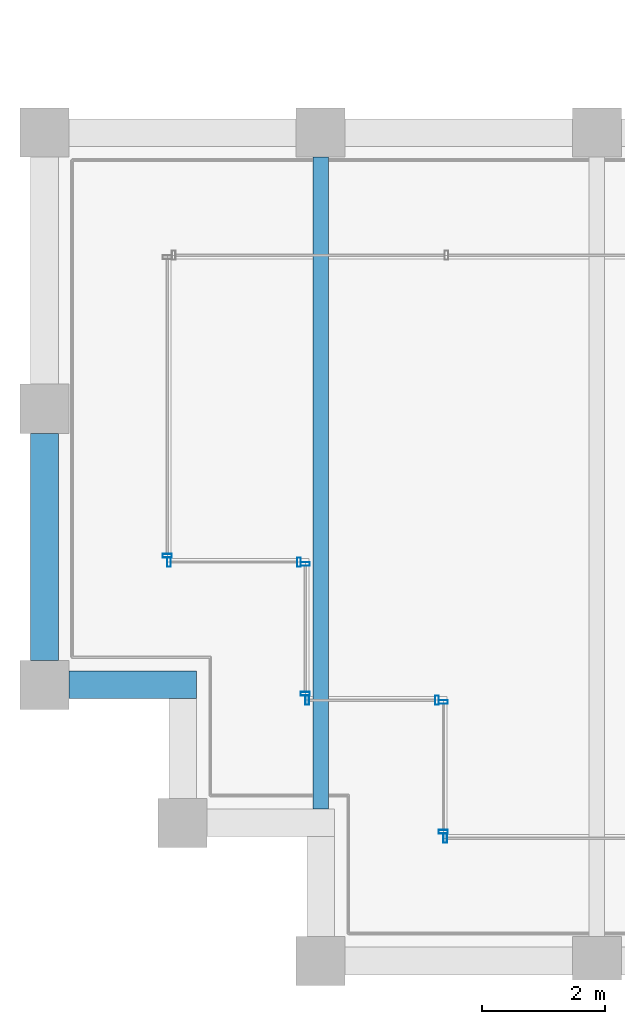
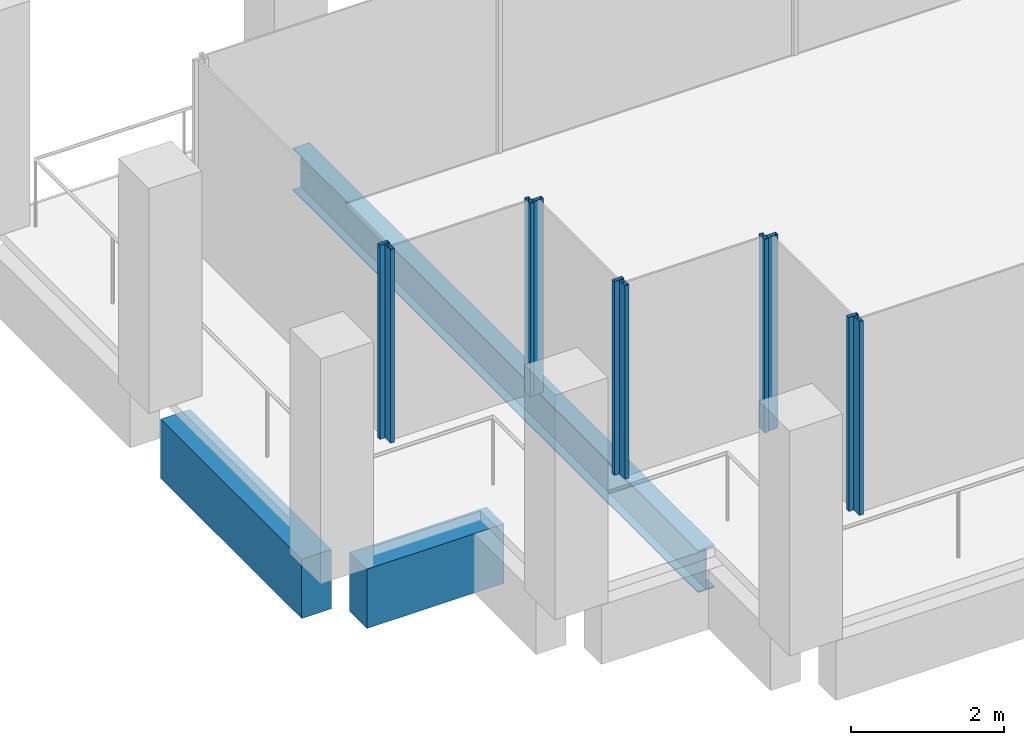
# One storey, part 2 of 30: 10 members, 3 beams, 6 elements without a shape of their own.
"""IFC4 building model written with IfcOpenShell, lengths in metres."""

import ifcopenshell
import ifcopenshell.guid

model = None  # the IFC model being written
_history = None  # IfcOwnerHistory: only IFC2X3 demands one
_inside = {}  # id of a spatial element -> (the spatial element, [elements in it])
_under = {}  # id of a project, library or spatial element -> (it, [spatial elements below it])
_declared = {}  # id of a project -> (the project, [libraries it declares])
_typed = {}  # id of a type object -> (the type object, [elements of that type])
_made_of = {}  # id of a material, layer set ... -> (it, [elements and type objects made of it])


def new_model(schema):
    """Start an empty IFC model of exactly this schema.

    Asked for "IFC4X3", IfcOpenShell would pick the latest addendum, in which some entities
    have other attributes; the version numbers below select the first issue.
    IFC2X3 requires an IfcOwnerHistory on every rooted entity: one is made here for all.
    """
    global model, _history
    if schema == "IFC4X3":
        model = ifcopenshell.file(schema_version=(4, 3, 0, 0))
    else:
        model = ifcopenshell.file(schema=schema)
    _inside.clear()
    _under.clear()
    _declared.clear()
    _typed.clear()
    _made_of.clear()
    _history = None
    if model.schema == "IFC2X3":
        org = make("IfcOrganization", Name="unknown")
        user = make(
            "IfcPersonAndOrganization",
            ThePerson=make("IfcPerson", FamilyName="unknown"),
            TheOrganization=org,
        )
        app = make(
            "IfcApplication",
            ApplicationDeveloper=org,
            Version="unknown",
            ApplicationFullName="unknown",
            ApplicationIdentifier="unknown",
        )
        _history = make(
            "IfcOwnerHistory",
            OwningUser=user,
            OwningApplication=app,
            ChangeAction="ADDED",
            CreationDate=0,
        )
    return model


def make(cls, **values):
    """One entity of the class cls with the attributes given. An attribute that is None is left unset."""
    return model.create_entity(
        cls, **{name: value for name, value in values.items() if value is not None}
    )


def rooted(cls, **values):
    """An entity with a GlobalId (a new one), such as an element, a storey or a relation."""
    return make(cls, GlobalId=ifcopenshell.guid.new(), OwnerHistory=_history, **values)


def si_unit(unit_type, name, prefix=None):
    """IfcSIUnit, for example si_unit("LENGTHUNIT", "METRE", prefix="MILLI")."""
    return make("IfcSIUnit", UnitType=unit_type, Prefix=prefix, Name=name)


def assignment(units):
    """IfcUnitAssignment: the units of a project."""
    return None if units is None else make("IfcUnitAssignment", Units=units)


def point(xyz):
    """IfcCartesianPoint."""
    return None if xyz is None else make("IfcCartesianPoint", Coordinates=xyz)


def direction(xyz):
    """IfcDirection."""
    return None if xyz is None else make("IfcDirection", DirectionRatios=xyz)


def frame(location, z_axis=None, x_axis=None):
    """IfcAxis2Placement3D, a coordinate frame: its origin and axes. An axis left out is left unset."""
    return make(
        "IfcAxis2Placement3D",
        Location=point(location),
        Axis=direction(z_axis),
        RefDirection=direction(x_axis),
    )


def frame_2d(location, x_axis=None):
    """IfcAxis2Placement2D, a coordinate frame in the plane: its origin and x axis."""
    return make(
        "IfcAxis2Placement2D", Location=point(location), RefDirection=direction(x_axis)
    )


def origin():
    """The frame at (0, 0, 0) with its axes left unset."""
    return frame((0.0, 0.0, 0.0))


def origin_2d():
    """The frame at (0, 0) in the plane with its x axis left unset."""
    return frame_2d((0.0, 0.0))


def place(relative_to, where):
    """IfcLocalPlacement: puts the frame where relative to a parent placement (None: the world)."""
    return make(
        "IfcLocalPlacement", PlacementRelTo=relative_to, RelativePlacement=where
    )


def context(
    kind, dimensions, precision=None, world=None, true_north=None, identifier=None
):
    """IfcGeometricRepresentationContext, for example the 3D "Model" context."""
    return make(
        "IfcGeometricRepresentationContext",
        ContextIdentifier=identifier,
        ContextType=kind,
        CoordinateSpaceDimension=dimensions,
        Precision=precision,
        WorldCoordinateSystem=world,
        TrueNorth=true_north,
    )


def subcontext(parent, identifier, kind, view, scale=None):
    """IfcGeometricRepresentationSubContext, for example "Body" below "Model"."""
    return make(
        "IfcGeometricRepresentationSubContext",
        ContextIdentifier=identifier,
        ContextType=kind,
        ParentContext=parent,
        TargetScale=scale,
        TargetView=view,
    )


def project(units=None, contexts=None):
    """IfcProject with its units and contexts."""
    return rooted(
        "IfcProject",
        Name="project",
        RepresentationContexts=contexts,
        UnitsInContext=assignment(units),
    )


def spatial(cls, under=None, at=None, **own):
    """A site, building, storey or space (cls), placed at a placement, below another one or the project."""
    s = rooted(cls, ObjectPlacement=at, **own)
    if under is not None:
        _under.setdefault(under.id(), (under, []))[1].append(s)
    return s


def profile(cls, at=None, kind="AREA", **sizes):
    """A parametric profile (cls). Its sizes go by their IFC names, for example OverallWidth=200.0."""
    return make(cls, ProfileType=kind, Position=at, **sizes)


def rectangle(**sizes):
    """IfcRectangleProfileDef."""
    return profile("IfcRectangleProfileDef", **sizes)


def hollow_rectangle(**sizes):
    """IfcRectangleHollowProfileDef."""
    return profile("IfcRectangleHollowProfileDef", **sizes)


def i_section(**sizes):
    """IfcIShapeProfileDef."""
    return profile("IfcIShapeProfileDef", **sizes)


def extrude(swept, where, along, depth):
    """IfcExtrudedAreaSolid: the profile swept, set in the frame where, extruded along a direction by depth."""
    return make(
        "IfcExtrudedAreaSolid",
        SweptArea=swept,
        Position=where,
        ExtrudedDirection=direction(along),
        Depth=depth,
    )


def shape(context_of_items, identifier, shape_type, items):
    """IfcShapeRepresentation: the items that make up one representation, for example the "Body"."""
    return make(
        "IfcShapeRepresentation",
        ContextOfItems=context_of_items,
        RepresentationIdentifier=identifier,
        RepresentationType=shape_type,
        Items=items,
    )


def material(Name=None, Category=None):
    """IfcMaterial."""
    return make("IfcMaterial", Name=Name, Category=Category)


def material_profile(
    of_material, cross_section, Name=None, Category=None, Priority=None
):
    """IfcMaterialProfile: a cross section and its material."""
    return make(
        "IfcMaterialProfile",
        Name=Name,
        Material=of_material,
        Profile=cross_section,
        Priority=Priority,
        Category=Category,
    )


def profile_set(profiles, Name=None, composite=None):
    """IfcMaterialProfileSet."""
    return make(
        "IfcMaterialProfileSet",
        Name=Name,
        MaterialProfiles=profiles,
        CompositeProfile=composite,
    )


def made_of(thing, what):
    """Note that an element or type object is made of a material, layer set ...; save() writes the relation."""
    if what is not None:
        _made_of.setdefault(what.id(), (what, []))[1].append(thing)
    return thing


def type_object(cls, material=None, **own):
    """A type object (cls), such as IfcWallType, which elements share."""
    return made_of(rooted(cls, **own), material)


def element(
    cls,
    number,
    at=None,
    inside=None,
    cuts=None,
    type_object=None,
    material=None,
    context=None,
    identifier="Body",
    shape_type=None,
    held_by="IfcProductDefinitionShape",
    body=None,
    shapes=None,
    **own,
):
    """One element of the class cls, such as IfcWall. Its Tag is "e" and its number.

    at: its placement. inside: the storey or other place that contains it. cuts: it is an
    opening in that element (IfcRelVoidsElement). A single representation is given by context,
    identifier, shape_type and body (its items); several are given by shapes. held_by: the class
    of the entity that holds the representations. save() writes the other relations.
    """
    e = rooted(cls, Tag="e%d" % number, ObjectPlacement=at, **own)
    if body is not None:
        shapes = [shape(context, identifier, shape_type, body)]
    if shapes is not None:
        e.Representation = make(held_by, Representations=shapes)
    if inside is not None:
        _inside.setdefault(inside.id(), (inside, []))[1].append(e)
    if cuts is not None:
        rooted(
            "IfcRelVoidsElement", RelatingBuildingElement=cuts, RelatedOpeningElement=e
        )
    if type_object is not None:
        _typed.setdefault(type_object.id(), (type_object, []))[1].append(e)
    return made_of(e, material)


def aggregate(whole, parts):
    """IfcRelAggregates: a whole, such as a stair, and the parts it consists of."""
    return rooted("IfcRelAggregates", RelatingObject=whole, RelatedObjects=parts)


def save(model, path):
    """Write the relations noted so far, then the file.

    IfcRelAggregates (storeys below a building ...), IfcRelContainedInSpatialStructure (elements
    in a storey), IfcRelDefinesByType, IfcRelAssociatesMaterial and IfcRelDeclares: one each for
    every whole, place, type object, material and project.
    """
    for whole, parts in _under.values():
        aggregate(whole, parts)
    for where, things in _inside.values():
        rooted(
            "IfcRelContainedInSpatialStructure",
            RelatedElements=things,
            RelatingStructure=where,
        )
    for kind, things in _typed.values():
        rooted("IfcRelDefinesByType", RelatedObjects=things, RelatingType=kind)
    for what, things in _made_of.values():
        rooted("IfcRelAssociatesMaterial", RelatedObjects=things, RelatingMaterial=what)
    for by, libraries in _declared.values():
        rooted("IfcRelDeclares", RelatingContext=by, RelatedDefinitions=libraries)
    model.write(path)


model = new_model("IFC4")

# Units and contexts
model_context = context("Model", 3, precision=1e-05, world=origin(), true_north=direction((0.0, 1.0)))
body_context = subcontext(model_context, "Body", "Model", "MODEL_VIEW")
ifc_project = project(units=[si_unit("LENGTHUNIT", "METRE"), si_unit("AREAUNIT", "SQUARE_METRE"), si_unit("VOLUMEUNIT", "CUBIC_METRE"), si_unit("PLANEANGLEUNIT", "RADIAN"), si_unit("MASSUNIT", "GRAM", prefix="KILO")], contexts=[model_context])

# Site, building, storey
site_placement = place(None, origin())
site = spatial("IfcSite", under=ifc_project, at=site_placement, CompositionType="ELEMENT")
building_placement = place(site_placement, origin())
building = spatial("IfcBuilding", under=site, at=building_placement, Name="Altepetl Exchange Towers", CompositionType="ELEMENT")
storey_placement = place(building_placement, frame((0.0, 0.0, 224.39990234375)))
storey = spatial("IfcBuildingStorey", under=building, at=storey_placement, Name="L57", CompositionType="ELEMENT", Elevation=224.39990234375)

# Beam
ifc_material_1 = material(Name="Steel S355", Category="steel")
ifc_material_profile_1 = material_profile(ifc_material_1, i_section(OverallWidth=0.2529296875, OverallDepth=0.677978515625, WebThickness=0.01171875, FlangeThickness=0.016357421875, at=origin_2d()), Name="W27X84")
ifc_profile_set_1 = profile_set([ifc_material_profile_1], Name="Steel S355")
beam_type_1 = type_object("IfcBeamType", Name="Floor beam W27X84", PredefinedType="BEAM", material=ifc_profile_set_1)
beam_1_placement = place(storey_placement, frame((31.5, 29.47509765625, -0.489013671875), z_axis=(0.0, 1.0, 0.0), x_axis=(-1.0, 0.0, 0.0)))
element("IfcBeam", 1, at=beam_1_placement, inside=storey, type_object=beam_type_1, Name="bm:A:L57:012", PredefinedType="BEAM", context=body_context, shape_type="SweptSolid", body=[
    extrude(i_section(OverallWidth=0.2529296875, OverallDepth=0.677978515625, WebThickness=0.01171875, FlangeThickness=0.016357421875, at=origin_2d()), origin(), (0.0, 0.0, 1.0), 10.625),
])

# Curtain wall, member
ifc_material_2 = material(Name="Aluminium 6063-T6 glazing", Category="aluminium")
curtain_wall_type = type_object("IfcCurtainWallType", Name="Loggia glazing system", PredefinedType="NOTDEFINED", material=ifc_material_2)
curtain_wall_1_placement = place(storey_placement, origin())
curtain_wall_1 = element("IfcCurtainWall", 2, at=curtain_wall_1_placement, inside=storey, type_object=curtain_wall_type, Name="CW1 run", PredefinedType="NOTDEFINED")
ifc_material_3 = material(Name="Aluminium 6063-T6", Category="aluminium")
ifc_material_profile_2 = material_profile(ifc_material_3, hollow_rectangle(XDim=0.06005859375, YDim=0.14990234375, WallThickness=0.0029296875, at=origin_2d()), Name="Mullion 60x150 aluminium")
ifc_profile_set_2 = profile_set([ifc_material_profile_2], Name="Aluminium 6063-T6")
member_type = type_object("IfcMemberType", Name="Mullion 60x150 aluminium", PredefinedType="MULLION", material=ifc_profile_set_2)
member_1_placement = place(storey_placement, frame((29.0, 33.60498046875, 0.0), z_axis=(0.0, 0.0, 1.0), x_axis=(0.0, -1.0, 0.0)))
member_1 = element("IfcMember", 3, at=member_1_placement, type_object=member_type, Name="MU1 mullion", PredefinedType="MULLION", context=body_context, shape_type="SweptSolid", body=[
    extrude(hollow_rectangle(XDim=0.06005859375, YDim=0.14990234375, WallThickness=0.0029296875, at=origin_2d()), origin(), (0.0, 0.0, 1.0), 3.10009765625),
])
aggregate(curtain_wall_1, [member_1])

# Curtain wall, members
curtain_wall_2_placement = place(storey_placement, origin())
curtain_wall_2 = element("IfcCurtainWall", 4, at=curtain_wall_2_placement, inside=storey, type_object=curtain_wall_type, Name="CW1 run", PredefinedType="NOTDEFINED")
member_2_placement = place(storey_placement, frame((29.030029296875, 33.5, 0.0)))
member_2 = element("IfcMember", 5, at=member_2_placement, type_object=member_type, Name="MU1 mullion", PredefinedType="MULLION", context=body_context, shape_type="SweptSolid", body=[
    extrude(hollow_rectangle(XDim=0.06005859375, YDim=0.14990234375, WallThickness=0.0029296875, at=origin_2d()), origin(), (0.0, 0.0, 1.0), 3.10009765625),
])
member_3_placement = place(storey_placement, frame((31.14501953125, 33.5, 0.0)))
member_3 = element("IfcMember", 6, at=member_3_placement, type_object=member_type, Name="MU1 mullion", PredefinedType="MULLION", context=body_context, shape_type="SweptSolid", body=[
    extrude(hollow_rectangle(XDim=0.06005859375, YDim=0.14990234375, WallThickness=0.0029296875, at=origin_2d()), origin(), (0.0, 0.0, 1.0), 3.10009765625),
])
aggregate(curtain_wall_2, [member_2, member_3])

curtain_wall_3_placement = place(storey_placement, origin())
curtain_wall_3 = element("IfcCurtainWall", 7, at=curtain_wall_3_placement, inside=storey, type_object=curtain_wall_type, Name="CW1 run", PredefinedType="NOTDEFINED")
member_4_placement = place(storey_placement, frame((31.25, 33.469970703125, 0.0), z_axis=(0.0, 0.0, 1.0), x_axis=(0.0, -1.0, 0.0)))
member_4 = element("IfcMember", 8, at=member_4_placement, type_object=member_type, Name="MU1 mullion", PredefinedType="MULLION", context=body_context, shape_type="SweptSolid", body=[
    extrude(hollow_rectangle(XDim=0.06005859375, YDim=0.14990234375, WallThickness=0.0029296875, at=origin_2d()), origin(), (0.0, 0.0, 1.0), 3.10009765625),
])
member_5_placement = place(storey_placement, frame((31.25, 31.35498046875, 0.0), z_axis=(0.0, 0.0, 1.0), x_axis=(0.0, -1.0, 0.0)))
member_5 = element("IfcMember", 9, at=member_5_placement, type_object=member_type, Name="MU1 mullion", PredefinedType="MULLION", context=body_context, shape_type="SweptSolid", body=[
    extrude(hollow_rectangle(XDim=0.06005859375, YDim=0.14990234375, WallThickness=0.0029296875, at=origin_2d()), origin(), (0.0, 0.0, 1.0), 3.10009765625),
])
aggregate(curtain_wall_3, [member_4, member_5])

curtain_wall_4_placement = place(storey_placement, origin())
curtain_wall_4 = element("IfcCurtainWall", 10, at=curtain_wall_4_placement, inside=storey, type_object=curtain_wall_type, Name="CW1 run", PredefinedType="NOTDEFINED")
member_6_placement = place(storey_placement, frame((31.280029296875, 31.25, 0.0)))
member_6 = element("IfcMember", 11, at=member_6_placement, type_object=member_type, Name="MU1 mullion", PredefinedType="MULLION", context=body_context, shape_type="SweptSolid", body=[
    extrude(hollow_rectangle(XDim=0.06005859375, YDim=0.14990234375, WallThickness=0.0029296875, at=origin_2d()), origin(), (0.0, 0.0, 1.0), 3.10009765625),
])
member_7_placement = place(storey_placement, frame((33.39501953125, 31.25, 0.0)))
member_7 = element("IfcMember", 12, at=member_7_placement, type_object=member_type, Name="MU1 mullion", PredefinedType="MULLION", context=body_context, shape_type="SweptSolid", body=[
    extrude(hollow_rectangle(XDim=0.06005859375, YDim=0.14990234375, WallThickness=0.0029296875, at=origin_2d()), origin(), (0.0, 0.0, 1.0), 3.10009765625),
])
aggregate(curtain_wall_4, [member_6, member_7])

curtain_wall_5_placement = place(storey_placement, origin())
curtain_wall_5 = element("IfcCurtainWall", 13, at=curtain_wall_5_placement, inside=storey, type_object=curtain_wall_type, Name="CW1 run", PredefinedType="NOTDEFINED")
member_8_placement = place(storey_placement, frame((33.5, 31.219970703125, 0.0), z_axis=(0.0, 0.0, 1.0), x_axis=(0.0, -1.0, 0.0)))
member_8 = element("IfcMember", 14, at=member_8_placement, type_object=member_type, Name="MU1 mullion", PredefinedType="MULLION", context=body_context, shape_type="SweptSolid", body=[
    extrude(hollow_rectangle(XDim=0.06005859375, YDim=0.14990234375, WallThickness=0.0029296875, at=origin_2d()), origin(), (0.0, 0.0, 1.0), 3.10009765625),
])
member_9_placement = place(storey_placement, frame((33.5, 29.10498046875, 0.0), z_axis=(0.0, 0.0, 1.0), x_axis=(0.0, -1.0, 0.0)))
member_9 = element("IfcMember", 15, at=member_9_placement, type_object=member_type, Name="MU1 mullion", PredefinedType="MULLION", context=body_context, shape_type="SweptSolid", body=[
    extrude(hollow_rectangle(XDim=0.06005859375, YDim=0.14990234375, WallThickness=0.0029296875, at=origin_2d()), origin(), (0.0, 0.0, 1.0), 3.10009765625),
])
aggregate(curtain_wall_5, [member_8, member_9])

# Curtain wall, member
curtain_wall_6_placement = place(storey_placement, origin())
curtain_wall_6 = element("IfcCurtainWall", 16, at=curtain_wall_6_placement, inside=storey, type_object=curtain_wall_type, Name="CW1 run", PredefinedType="NOTDEFINED")
member_10_placement = place(storey_placement, frame((33.530029296875, 29.0, 0.0)))
member_10 = element("IfcMember", 17, at=member_10_placement, type_object=member_type, Name="MU1 mullion", PredefinedType="MULLION", context=body_context, shape_type="SweptSolid", body=[
    extrude(hollow_rectangle(XDim=0.06005859375, YDim=0.14990234375, WallThickness=0.0029296875, at=origin_2d()), origin(), (0.0, 0.0, 1.0), 3.10009765625),
])
aggregate(curtain_wall_6, [member_10])

# Beams
ifc_material_4 = material(Name="Concrete C50/60 precast with cantera blanca facing", Category="concrete")
ifc_material_profile_3 = material_profile(ifc_material_4, rectangle(XDim=0.449951171875, YDim=0.949951171875, at=origin_2d()), Name="450 x 950")
ifc_profile_set_3 = profile_set([ifc_material_profile_3], Name="Concrete C50/60 precast with cantera blanca facing")
beam_type_2 = type_object("IfcBeamType", Name="Spandrel beam 450x950 cantera blanca", PredefinedType="SPANDREL", material=ifc_profile_set_3)
beam_2_placement = place(storey_placement, frame((27.0, 35.60009765625, -0.625), z_axis=(0.0, -1.0, 0.0), x_axis=(1.0, 0.0, 0.0)))
element("IfcBeam", 18, at=beam_2_placement, inside=storey, type_object=beam_type_2, Name="sp:A:L57:037", PredefinedType="SPANDREL", context=body_context, shape_type="SweptSolid", body=[
    extrude(rectangle(XDim=0.449951171875, YDim=0.949951171875, at=origin_2d()), origin(), (0.0, 0.0, 1.0), 3.7001953125),
])
beam_3_placement = place(storey_placement, frame((27.39990234375, 31.5, -0.625), z_axis=(1.0, 0.0, 0.0), x_axis=(0.0, 1.0, 0.0)))
element("IfcBeam", 19, at=beam_3_placement, inside=storey, type_object=beam_type_2, Name="sp:A:L57:038", PredefinedType="SPANDREL", context=body_context, shape_type="SweptSolid", body=[
    extrude(rectangle(XDim=0.449951171875, YDim=0.949951171875, at=origin_2d()), origin(), (0.0, 0.0, 1.0), 2.0751953125),
])

save(model, "model.ifc")
